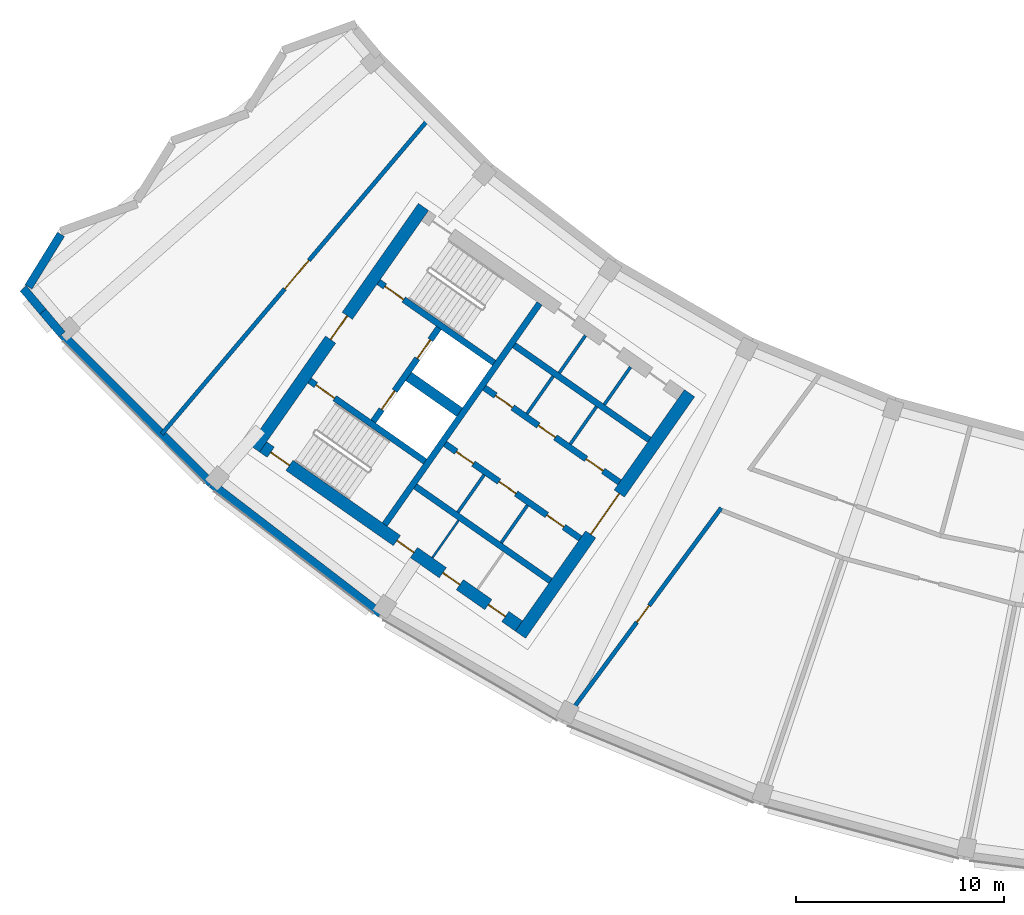
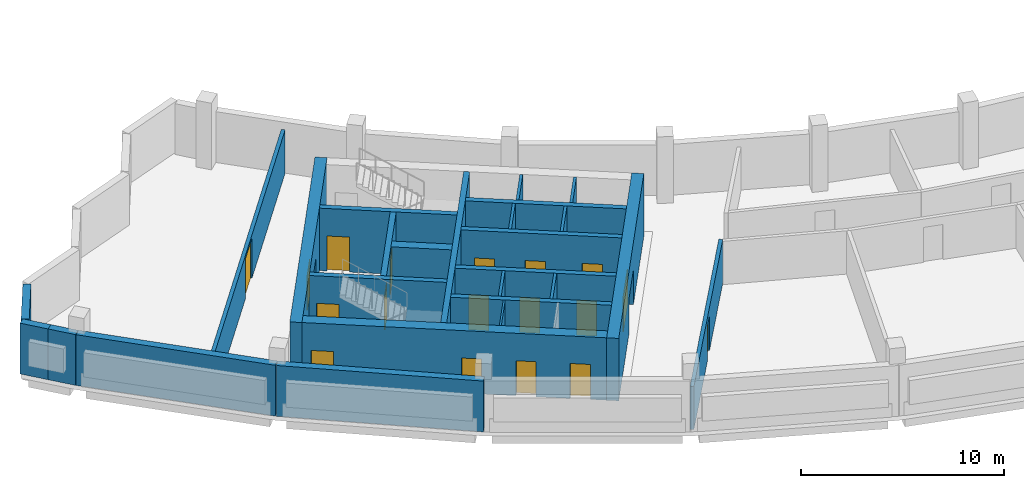
# One storey, part 3 of 11: 26 walls, 18 doors, 18 openings.
"""IFC4 building model written with IfcOpenShell, lengths in metres."""

from ifc_helpers import new_model, si_unit, direction, frame, frame_2d, origin, place, context, subcontext, project, spatial, rectangle, extrude, material, layer, layer_set, type_object, element, fill, save


model = new_model("IFC4")

# Units and contexts
model_context = context("Model", 3, precision=1e-05, world=origin(), true_north=direction((0.0, 1.0)))
body_context = subcontext(model_context, "Body", "Model", "MODEL_VIEW")
ifc_project = project(units=[si_unit("LENGTHUNIT", "METRE"), si_unit("AREAUNIT", "SQUARE_METRE"), si_unit("VOLUMEUNIT", "CUBIC_METRE"), si_unit("PLANEANGLEUNIT", "RADIAN"), si_unit("MASSUNIT", "GRAM", prefix="KILO")], contexts=[model_context])

# Site, building, storey
site_placement = place(None, origin())
site = spatial("IfcSite", under=ifc_project, at=site_placement, CompositionType="ELEMENT")
building_placement = place(site_placement, origin())
building = spatial("IfcBuilding", under=site, at=building_placement, Name="Qamariyya Broadcast Tower", CompositionType="ELEMENT")
storey_placement = place(building_placement, frame((0.0, 0.0, 314.699951171875)))
storey = spatial("IfcBuildingStorey", under=building, at=storey_placement, Name="L76", CompositionType="ELEMENT", Elevation=314.699951171875)

# Wall, opening, door
ifc_material_1 = material(Name="Concrete C60/75", Category="concrete")
ifc_layer_1 = layer(ifc_material_1, 0.60009765625)
ifc_layer_set_1 = layer_set([ifc_layer_1], Name="Core wall 600 mm Concrete C60/75")
wall_type_1 = type_object("IfcWallType", Name="Core wall 600 mm Concrete C60/75", PredefinedType="SHEAR", material=ifc_layer_set_1)
wall_1_placement = place(storey_placement, frame((-36.66748046875, -66.005126953125, 0.0), z_axis=(0.0, 0.0, 1.0), x_axis=(0.573568499524, 0.819157601658, 0.0)))
wall_1 = element("IfcWall", 1, at=wall_1_placement, inside=storey, type_object=wall_type_1, Name="k-W-L76-WA", PredefinedType="SHEAR", context=body_context, shape_type="SweptSolid", body=[
    extrude(rectangle(XDim=14.19970703125, YDim=0.60009765625, at=frame_2d((7.099853515625, 0.0))), origin(), (0.0, 0.0, 1.0), 3.75),
])
opening_1_placement = place(wall_1_placement, frame((5.89990234375, 0.0, 0.0)))
opening_1 = element("IfcOpeningElement", 2, at=opening_1_placement, cuts=wall_1, Name="Opening KD3-W1", PredefinedType="OPENING", context=body_context, shape_type="SweptSolid", body=[
    extrude(rectangle(XDim=2.39990234375, YDim=2.10009765625, at=frame_2d((1.199951171875, 1.050048828125))), frame((0.0, 0.31005859375, 0.0), z_axis=(0.0, -1.0, 0.0), x_axis=(1.0, 0.0, 0.0)), (0.0, 0.0, 1.0), 0.6201171875),
])
ifc_material_2 = material(Name="Steel fire-resisting door leaf", Category="steel")
door_type_1 = type_object("IfcDoorType", Name="Lift lobby door KD3", OperationType="DOUBLE_DOOR_SINGLE_SWING", PredefinedType="DOOR", material=ifc_material_2)
door_1_placement = place(opening_1_placement, origin())
door_1 = element("IfcDoor", 3, at=door_1_placement, inside=storey, type_object=door_type_1, Name="k-W-L76-WA-D1", OperationType="DOUBLE_DOOR_SINGLE_SWING", OverallHeight=2.10009765625, OverallWidth=2.39990234375, PredefinedType="DOOR", context=body_context, shape_type="SweptSolid", body=[
    extrude(rectangle(XDim=2.39990234375, YDim=2.10009765625, at=frame_2d((1.199951171875, 1.050048828125))), frame((0.0, 0.02490234375, 0.0), z_axis=(0.0, -1.0, 0.0), x_axis=(1.0, 0.0, 0.0)), (0.0, 0.0, 1.0), 0.050048828125),
])
fill(opening_1, door_1)

wall_2_placement = place(storey_placement, frame((-49.4833984375, -57.031494140625, 0.0), z_axis=(0.0, 0.0, 1.0), x_axis=(0.573560421458, 0.819163257805, 0.0)))
wall_2 = element("IfcWall", 4, at=wall_2_placement, inside=storey, type_object=wall_type_1, Name="k-W-L76-WH", PredefinedType="SHEAR", context=body_context, shape_type="SweptSolid", body=[
    extrude(rectangle(XDim=14.199951171875, YDim=0.60009765625, at=frame_2d((7.10009765625, 0.0))), origin(), (0.0, 0.0, 1.0), 3.75),
])
opening_2_placement = place(wall_2_placement, frame((6.39990234375, 0.0, 0.0)))
opening_2 = element("IfcOpeningElement", 5, at=opening_2_placement, cuts=wall_2, Name="Opening KD2-W1", PredefinedType="OPENING", context=body_context, shape_type="SweptSolid", body=[
    extrude(rectangle(XDim=1.39990234375, YDim=2.10009765625, at=frame_2d((0.699951171875, 1.050048828125))), frame((0.0, 0.31005859375, 0.0), z_axis=(0.0, -1.0, 0.0), x_axis=(1.0, 0.0, 0.0)), (0.0, 0.0, 1.0), 0.6201171875),
])
door_type_2 = type_object("IfcDoorType", Name="Fire-fighting lobby door KD2", OperationType="DOUBLE_DOOR_SINGLE_SWING", PredefinedType="DOOR", material=ifc_material_2)
door_2_placement = place(opening_2_placement, origin())
door_2 = element("IfcDoor", 6, at=door_2_placement, inside=storey, type_object=door_type_2, Name="k-W-L76-WH-D16", OperationType="DOUBLE_DOOR_SINGLE_SWING", OverallHeight=2.10009765625, OverallWidth=1.39990234375, PredefinedType="DOOR", context=body_context, shape_type="SweptSolid", body=[
    extrude(rectangle(XDim=1.39990234375, YDim=2.10009765625, at=frame_2d((0.699951171875, 1.050048828125))), frame((0.0, 0.02490234375, 0.0), z_axis=(0.0, -1.0, 0.0), x_axis=(1.0, 0.0, 0.0)), (0.0, 0.0, 1.0), 0.050048828125),
])
fill(opening_2, door_2)

# Wall, openings, doors
wall_3_placement = place(storey_placement, frame((-36.7412109375, -65.58740234375, 0.0), z_axis=(0.0, 0.0, 1.0), x_axis=(-0.819153391756, 0.573574511963, 0.0)))
wall_3 = element("IfcWall", 7, at=wall_3_placement, inside=storey, type_object=wall_type_1, Name="k-W-L76-WO", PredefinedType="SHEAR", context=body_context, shape_type="SweptSolid", body=[
    extrude(rectangle(XDim=15.04541015625, YDim=0.60009765625, at=frame_2d((7.522705078125, 0.0))), origin(), (0.0, 0.0, 1.0), 3.75),
])
opening_3_placement = place(wall_3_placement, frame((0.800048828125, 0.0, 0.0)))
opening_3 = element("IfcOpeningElement", 8, at=opening_3_placement, cuts=wall_3, Name="Opening KD4-W10", PredefinedType="OPENING", context=body_context, shape_type="SweptSolid", body=[
    extrude(rectangle(XDim=1.0, YDim=2.10009765625, at=frame_2d((0.5, 1.050048828125))), frame((0.0, 0.31005859375, 0.0), z_axis=(0.0, -1.0, 0.0), x_axis=(1.0, 0.0, 0.0)), (0.0, 0.0, 1.0), 0.6201171875),
])
opening_4_placement = place(wall_3_placement, frame((3.47509765625, 0.0, 0.0)))
opening_4 = element("IfcOpeningElement", 9, at=opening_4_placement, cuts=wall_3, Name="Opening KD4-W11", PredefinedType="OPENING", context=body_context, shape_type="SweptSolid", body=[
    extrude(rectangle(XDim=1.0, YDim=2.10009765625, at=frame_2d((0.5, 1.050048828125))), frame((0.0, 0.31005859375, 0.0), z_axis=(0.0, -1.0, 0.0), x_axis=(1.0, 0.0, 0.0)), (0.0, 0.0, 1.0), 0.6201171875),
])
opening_5_placement = place(wall_3_placement, frame((6.175048828125, 0.0, 0.0)))
opening_5 = element("IfcOpeningElement", 10, at=opening_5_placement, cuts=wall_3, Name="Opening KD4-W12", PredefinedType="OPENING", context=body_context, shape_type="SweptSolid", body=[
    extrude(rectangle(XDim=1.0, YDim=2.10009765625, at=frame_2d((0.5, 1.050048828125))), frame((0.0, 0.31005859375, 0.0), z_axis=(0.0, -1.0, 0.0), x_axis=(1.0, 0.0, 0.0)), (0.0, 0.0, 1.0), 0.6201171875),
])
opening_6_placement = place(wall_3_placement, frame((13.495361328125, 0.0, 0.0)))
opening_6 = element("IfcOpeningElement", 11, at=opening_6_placement, cuts=wall_3, Name="Opening KD1-W3", PredefinedType="OPENING", context=body_context, shape_type="SweptSolid", body=[
    extrude(rectangle(XDim=1.10009765625, YDim=2.10009765625, at=frame_2d((0.550048828125, 1.050048828125))), frame((0.0, 0.31005859375, 0.0), z_axis=(0.0, -1.0, 0.0), x_axis=(1.0, 0.0, 0.0)), (0.0, 0.0, 1.0), 0.6201171875),
])
door_type_3 = type_object("IfcDoorType", Name="Riser and plant door KD4", OperationType="SINGLE_SWING_LEFT", PredefinedType="DOOR", material=ifc_material_2)
door_3_placement = place(opening_3_placement, origin())
door_3 = element("IfcDoor", 12, at=door_3_placement, inside=storey, type_object=door_type_3, Name="k-W-L76-WO-D11", OperationType="SINGLE_SWING_RIGHT", OverallHeight=2.10009765625, OverallWidth=1.0, PredefinedType="DOOR", context=body_context, shape_type="SweptSolid", body=[
    extrude(rectangle(XDim=1.0, YDim=2.10009765625, at=frame_2d((0.5, 1.050048828125))), frame((0.0, 0.02490234375, 0.0), z_axis=(0.0, -1.0, 0.0), x_axis=(1.0, 0.0, 0.0)), (0.0, 0.0, 1.0), 0.050048828125),
])
fill(opening_3, door_3)
door_4_placement = place(opening_4_placement, origin())
door_4 = element("IfcDoor", 13, at=door_4_placement, inside=storey, type_object=door_type_3, Name="k-W-L76-WO-D12", OperationType="SINGLE_SWING_LEFT", OverallHeight=2.10009765625, OverallWidth=1.0, PredefinedType="DOOR", context=body_context, shape_type="SweptSolid", body=[
    extrude(rectangle(XDim=1.0, YDim=2.10009765625, at=frame_2d((0.5, 1.050048828125))), frame((0.0, 0.02490234375, 0.0), z_axis=(0.0, -1.0, 0.0), x_axis=(1.0, 0.0, 0.0)), (0.0, 0.0, 1.0), 0.050048828125),
])
fill(opening_4, door_4)
door_5_placement = place(opening_5_placement, origin())
door_5 = element("IfcDoor", 14, at=door_5_placement, inside=storey, type_object=door_type_3, Name="k-W-L76-WO-D13", OperationType="SINGLE_SWING_RIGHT", OverallHeight=2.10009765625, OverallWidth=1.0, PredefinedType="DOOR", context=body_context, shape_type="SweptSolid", body=[
    extrude(rectangle(XDim=1.0, YDim=2.10009765625, at=frame_2d((0.5, 1.050048828125))), frame((0.0, 0.02490234375, 0.0), z_axis=(0.0, -1.0, 0.0), x_axis=(1.0, 0.0, 0.0)), (0.0, 0.0, 1.0), 0.050048828125),
])
fill(opening_5, door_5)
door_type_4 = type_object("IfcDoorType", Name="Stair door KD1", OperationType="SINGLE_SWING_LEFT", PredefinedType="DOOR", material=ifc_material_2)
door_6_placement = place(opening_6_placement, origin())
door_6 = element("IfcDoor", 15, at=door_6_placement, inside=storey, type_object=door_type_4, Name="k-W-L76-WO-D19", OperationType="SINGLE_SWING_LEFT", OverallHeight=2.10009765625, OverallWidth=1.10009765625, PredefinedType="DOOR", context=body_context, shape_type="SweptSolid", body=[
    extrude(rectangle(XDim=1.10009765625, YDim=2.10009765625, at=frame_2d((0.550048828125, 1.050048828125))), frame((0.0, 0.02490234375, 0.0), z_axis=(0.0, -1.0, 0.0), x_axis=(1.0, 0.0, 0.0)), (0.0, 0.0, 1.0), 0.050048828125),
])
fill(opening_6, door_6)

# Walls
ifc_layer_2 = layer(ifc_material_1, 0.5)
ifc_layer_set_2 = layer_set([ifc_layer_2], Name="Fire-fighting lobby divider wall 500 mm Concrete C60/75")
wall_type_2 = type_object("IfcWallType", Name="Fire-fighting lobby divider wall 500 mm Concrete C60/75", PredefinedType="SOLIDWALL", material=ifc_layer_set_2)
wall_4_placement = place(storey_placement, frame((-39.59912109375, -55.28515625, 0.0), z_axis=(0.0, 0.0, 1.0), x_axis=(-0.819136323161, 0.573598887793, 0.0)))
element("IfcWall", 16, at=wall_4_placement, inside=storey, type_object=wall_type_2, Name="k-W-L76-FD", PredefinedType="SOLIDWALL", context=body_context, shape_type="SweptSolid", body=[
    extrude(rectangle(XDim=2.999755859375, YDim=0.5, at=frame_2d((1.5, 0.0))), origin(), (0.0, 0.0, 1.0), 3.75),
])
ifc_material_3 = material(Name="Gypsum board partition on steel studs", Category="steel")
ifc_layer_3 = layer(ifc_material_3, 0.14990234375)
ifc_layer_set_3 = layer_set([ifc_layer_3], Name="Gypsum board partition 150 mm")
wall_type_3 = type_object("IfcWallType", Name="Gypsum board partition 150 mm", PredefinedType="PARTITIONING", material=ifc_layer_set_3)
for number, where, z_axis, x_axis, name in (
    (17, (-34.26611328125, -56.822021484375, 0.0), (0.0, 0.0, 1.0), (0.573581496053, 0.819148501424, 0.0), "k-W-L76-NC300"),
    (18, (-36.35498046875, -55.359375, 0.0), (0.0, 0.0, 1.0), (0.573581496053, 0.819148501424, 0.0), "k-W-L76-NC555"),
):
    element("IfcWall", number, at=place(storey_placement, frame(where, z_axis=z_axis, x_axis=x_axis)), inside=storey, type_object=wall_type_3, Name=name, PredefinedType="PARTITIONING", context=body_context, shape_type="SweptSolid", body=[
        extrude(rectangle(XDim=2.2001953125, YDim=0.14990234375, at=frame_2d((1.10009765625, 0.0))), origin(), (0.0, 0.0, 1.0), 3.75),
    ])
for number, where, z_axis, x_axis, name in (
    (19, (-36.330810546875, -59.77099609375, 0.0), (0.0, 0.0, 1.0), (-0.573633636671, -0.819111989218, 0.0), "k-W-L76-SC300"),
    (20, (-38.419677734375, -58.308349609375, 0.0), (0.0, 0.0, 1.0), (-0.573633636671, -0.819111989218, 0.0), "k-W-L76-SC555"),
    (21, (-32.627197265625, -54.91748046875, 0.0), (0.0, 0.0, 1.0), (0.573507030513, 0.819200638399, 0.0), "k-W-L76-NP275"),
    (22, (-34.798095703125, -53.3974609375, 0.0), (0.0, 0.0, 1.0), (0.573633636671, 0.819111989218, 0.0), "k-W-L76-NP540"),
):
    element("IfcWall", number, at=place(storey_placement, frame(where, z_axis=z_axis, x_axis=x_axis)), inside=storey, type_object=wall_type_3, Name=name, PredefinedType="PARTITIONING", context=body_context, shape_type="SweptSolid", body=[
        extrude(rectangle(XDim=2.199951171875, YDim=0.14990234375, at=frame_2d((1.10009765625, 0.0))), origin(), (0.0, 0.0, 1.0), 3.75),
    ])
ifc_layer_4 = layer(ifc_material_1, 0.300048828125)
ifc_layer_set_4 = layer_set([ifc_layer_4], Name="Lift shaft wall 300 mm Concrete C60/75")
wall_type_4 = type_object("IfcWallType", Name="Lift shaft wall 300 mm Concrete C60/75", PredefinedType="SOLIDWALL", material=ifc_layer_set_4)
wall_5_placement = place(storey_placement, frame((-43.204345703125, -60.69580078125, 0.0), z_axis=(0.0, 0.0, 1.0), x_axis=(0.573571992966, 0.819155155563, 0.0)))
element("IfcWall", 23, at=wall_5_placement, inside=storey, type_object=wall_type_4, Name="k-W-L76-WL", PredefinedType="SOLIDWALL", context=body_context, shape_type="SweptSolid", body=[
    extrude(rectangle(XDim=13.000244140625, YDim=0.300048828125, at=frame_2d((6.5, 0.0))), origin(), (0.0, 0.0, 1.0), 3.75),
])

# Wall, openings, doors
wall_6_placement = place(storey_placement, frame((-31.89453125, -58.66552734375, 0.0), z_axis=(0.0, 0.0, 1.0), x_axis=(-0.819166993208, 0.573555086491, 0.0)))
wall_6 = element("IfcWall", 24, at=wall_6_placement, inside=storey, type_object=wall_type_4, Name="k-W-L76-NF0", PredefinedType="SOLIDWALL", context=body_context, shape_type="SweptSolid", body=[
    extrude(rectangle(XDim=7.9501953125, YDim=0.300048828125, at=frame_2d((3.97509765625, 0.0))), origin(), (0.0, 0.0, 1.0), 3.75),
])
opening_7_placement = place(wall_6_placement, frame((0.96240234375, 0.0, 0.0)))
opening_7 = element("IfcOpeningElement", 25, at=opening_7_placement, cuts=wall_6, Name="Opening KD4-W1", PredefinedType="OPENING", context=body_context, shape_type="SweptSolid", body=[
    extrude(rectangle(XDim=1.0, YDim=2.10009765625, at=frame_2d((0.5, 1.050048828125))), frame((0.0, 0.159912109375, 0.0), z_axis=(0.0, -1.0, 0.0), x_axis=(1.0, 0.0, 0.0)), (0.0, 0.0, 1.0), 0.320068359375),
])
opening_8_placement = place(wall_6_placement, frame((3.77490234375, 0.0, 0.0)))
opening_8 = element("IfcOpeningElement", 26, at=opening_8_placement, cuts=wall_6, Name="Opening KD4-W2", PredefinedType="OPENING", context=body_context, shape_type="SweptSolid", body=[
    extrude(rectangle(XDim=1.0, YDim=2.10009765625, at=frame_2d((0.5, 1.050048828125))), frame((0.0, 0.159912109375, 0.0), z_axis=(0.0, -1.0, 0.0), x_axis=(1.0, 0.0, 0.0)), (0.0, 0.0, 1.0), 0.320068359375),
])
opening_9_placement = place(wall_6_placement, frame((6.28759765625, 0.0, 0.0)))
opening_9 = element("IfcOpeningElement", 27, at=opening_9_placement, cuts=wall_6, Name="Opening KD4-W3", PredefinedType="OPENING", context=body_context, shape_type="SweptSolid", body=[
    extrude(rectangle(XDim=1.0, YDim=2.10009765625, at=frame_2d((0.5, 1.050048828125))), frame((0.0, 0.159912109375, 0.0), z_axis=(0.0, -1.0, 0.0), x_axis=(1.0, 0.0, 0.0)), (0.0, 0.0, 1.0), 0.320068359375),
])
door_7_placement = place(opening_7_placement, origin())
door_7 = element("IfcDoor", 28, at=door_7_placement, inside=storey, type_object=door_type_3, Name="k-W-L76-NF0-D2", OperationType="SINGLE_SWING_LEFT", OverallHeight=2.10009765625, OverallWidth=1.0, PredefinedType="DOOR", context=body_context, shape_type="SweptSolid", body=[
    extrude(rectangle(XDim=1.0, YDim=2.10009765625, at=frame_2d((0.5, 1.050048828125))), frame((0.0, 0.02490234375, 0.0), z_axis=(0.0, -1.0, 0.0), x_axis=(1.0, 0.0, 0.0)), (0.0, 0.0, 1.0), 0.050048828125),
])
fill(opening_7, door_7)
door_8_placement = place(opening_8_placement, origin())
door_8 = element("IfcDoor", 29, at=door_8_placement, inside=storey, type_object=door_type_3, Name="k-W-L76-NF0-D3", OperationType="SINGLE_SWING_RIGHT", OverallHeight=2.10009765625, OverallWidth=1.0, PredefinedType="DOOR", context=body_context, shape_type="SweptSolid", body=[
    extrude(rectangle(XDim=1.0, YDim=2.10009765625, at=frame_2d((0.5, 1.050048828125))), frame((0.0, 0.02490234375, 0.0), z_axis=(0.0, -1.0, 0.0), x_axis=(1.0, 0.0, 0.0)), (0.0, 0.0, 1.0), 0.050048828125),
])
fill(opening_8, door_8)
door_9_placement = place(opening_9_placement, origin())
door_9 = element("IfcDoor", 30, at=door_9_placement, inside=storey, type_object=door_type_3, Name="k-W-L76-NF0-D4", OperationType="SINGLE_SWING_LEFT", OverallHeight=2.10009765625, OverallWidth=1.0, PredefinedType="DOOR", context=body_context, shape_type="SweptSolid", body=[
    extrude(rectangle(XDim=1.0, YDim=2.10009765625, at=frame_2d((0.5, 1.050048828125))), frame((0.0, 0.02490234375, 0.0), z_axis=(0.0, -1.0, 0.0), x_axis=(1.0, 0.0, 0.0)), (0.0, 0.0, 1.0), 0.050048828125),
])
fill(opening_9, door_9)

# Wall
wall_7_placement = place(storey_placement, frame((-30.460693359375, -56.61767578125, 0.0), z_axis=(0.0, 0.0, 1.0), x_axis=(-0.819142461705, 0.573590121456, 0.0)))
element("IfcWall", 31, at=wall_7_placement, inside=storey, type_object=wall_type_4, Name="k-W-L76-NB0", PredefinedType="SOLIDWALL", context=body_context, shape_type="SweptSolid", body=[
    extrude(rectangle(XDim=7.949951171875, YDim=0.300048828125, at=frame_2d((3.97509765625, 0.0))), origin(), (0.0, 0.0, 1.0), 3.75),
])

# Wall, openings, doors
wall_8_placement = place(storey_placement, frame((-33.787353515625, -61.368896484375, 0.0), z_axis=(0.0, 0.0, 1.0), x_axis=(-0.819152564888, 0.573575692858, 0.0)))
wall_8 = element("IfcWall", 32, at=wall_8_placement, inside=storey, type_object=wall_type_4, Name="k-W-L76-SF0", PredefinedType="SOLIDWALL", context=body_context, shape_type="SweptSolid", body=[
    extrude(rectangle(XDim=7.9501953125, YDim=0.300048828125, at=frame_2d((3.97509765625, 0.0))), origin(), (0.0, 0.0, 1.0), 3.75),
])
opening_10_placement = place(wall_8_placement, frame((0.96240234375, 0.0, 0.0)))
opening_10 = element("IfcOpeningElement", 33, at=opening_10_placement, cuts=wall_8, Name="Opening KD4-W4", PredefinedType="OPENING", context=body_context, shape_type="SweptSolid", body=[
    extrude(rectangle(XDim=1.0, YDim=2.10009765625, at=frame_2d((0.5, 1.050048828125))), frame((0.0, 0.159912109375, 0.0), z_axis=(0.0, -1.0, 0.0), x_axis=(1.0, 0.0, 0.0)), (0.0, 0.0, 1.0), 0.320068359375),
])
opening_11_placement = place(wall_8_placement, frame((3.77490234375, 0.0, 0.0)))
opening_11 = element("IfcOpeningElement", 34, at=opening_11_placement, cuts=wall_8, Name="Opening KD4-W5", PredefinedType="OPENING", context=body_context, shape_type="SweptSolid", body=[
    extrude(rectangle(XDim=1.0, YDim=2.10009765625, at=frame_2d((0.5, 1.050048828125))), frame((0.0, 0.159912109375, 0.0), z_axis=(0.0, -1.0, 0.0), x_axis=(1.0, 0.0, 0.0)), (0.0, 0.0, 1.0), 0.320068359375),
])
opening_12_placement = place(wall_8_placement, frame((6.28759765625, 0.0, 0.0)))
opening_12 = element("IfcOpeningElement", 35, at=opening_12_placement, cuts=wall_8, Name="Opening KD4-W6", PredefinedType="OPENING", context=body_context, shape_type="SweptSolid", body=[
    extrude(rectangle(XDim=1.0, YDim=2.10009765625, at=frame_2d((0.5, 1.050048828125))), frame((0.0, 0.159912109375, 0.0), z_axis=(0.0, -1.0, 0.0), x_axis=(1.0, 0.0, 0.0)), (0.0, 0.0, 1.0), 0.320068359375),
])
door_10_placement = place(opening_10_placement, origin())
door_10 = element("IfcDoor", 36, at=door_10_placement, inside=storey, type_object=door_type_3, Name="k-W-L76-SF0-D5", OperationType="SINGLE_SWING_RIGHT", OverallHeight=2.10009765625, OverallWidth=1.0, PredefinedType="DOOR", context=body_context, shape_type="SweptSolid", body=[
    extrude(rectangle(XDim=1.0, YDim=2.10009765625, at=frame_2d((0.5, 1.050048828125))), frame((0.0, 0.02490234375, 0.0), z_axis=(0.0, -1.0, 0.0), x_axis=(1.0, 0.0, 0.0)), (0.0, 0.0, 1.0), 0.050048828125),
])
fill(opening_10, door_10)
door_11_placement = place(opening_11_placement, origin())
door_11 = element("IfcDoor", 37, at=door_11_placement, inside=storey, type_object=door_type_3, Name="k-W-L76-SF0-D6", OperationType="SINGLE_SWING_LEFT", OverallHeight=2.10009765625, OverallWidth=1.0, PredefinedType="DOOR", context=body_context, shape_type="SweptSolid", body=[
    extrude(rectangle(XDim=1.0, YDim=2.10009765625, at=frame_2d((0.5, 1.050048828125))), frame((0.0, 0.02490234375, 0.0), z_axis=(0.0, -1.0, 0.0), x_axis=(1.0, 0.0, 0.0)), (0.0, 0.0, 1.0), 0.050048828125),
])
fill(opening_11, door_11)
door_12_placement = place(opening_12_placement, origin())
door_12 = element("IfcDoor", 38, at=door_12_placement, inside=storey, type_object=door_type_3, Name="k-W-L76-SF0-D7", OperationType="SINGLE_SWING_RIGHT", OverallHeight=2.10009765625, OverallWidth=1.0, PredefinedType="DOOR", context=body_context, shape_type="SweptSolid", body=[
    extrude(rectangle(XDim=1.0, YDim=2.10009765625, at=frame_2d((0.5, 1.050048828125))), frame((0.0, 0.02490234375, 0.0), z_axis=(0.0, -1.0, 0.0), x_axis=(1.0, 0.0, 0.0)), (0.0, 0.0, 1.0), 0.050048828125),
])
fill(opening_12, door_12)

# Wall
wall_9_placement = place(storey_placement, frame((-35.22119140625, -63.41650390625, 0.0), z_axis=(0.0, 0.0, 1.0), x_axis=(-0.819166993208, 0.573555086491, 0.0)))
element("IfcWall", 39, at=wall_9_placement, inside=storey, type_object=wall_type_4, Name="k-W-L76-SB0", PredefinedType="SOLIDWALL", context=body_context, shape_type="SweptSolid", body=[
    extrude(rectangle(XDim=7.9501953125, YDim=0.300048828125, at=frame_2d((3.97509765625, 0.0))), origin(), (0.0, 0.0, 1.0), 3.75),
])

# Wall, opening, door
wall_10_placement = place(storey_placement, frame((-37.935546875, -52.90966796875, 0.0), z_axis=(0.0, 0.0, 1.0), x_axis=(-0.819147518138, 0.57358290031, 0.0)))
wall_10 = element("IfcWall", 40, at=wall_10_placement, inside=storey, type_object=wall_type_4, Name="k-W-L76-NW", PredefinedType="SOLIDWALL", context=body_context, shape_type="SweptSolid", body=[
    extrude(rectangle(XDim=6.79541015625, YDim=0.300048828125, at=frame_2d((3.397705078125, 0.0))), origin(), (0.0, 0.0, 1.0), 3.75),
])
opening_13_placement = place(wall_10_placement, frame((5.3203125, 0.0, 0.0)))
opening_13 = element("IfcOpeningElement", 41, at=opening_13_placement, cuts=wall_10, Name="Opening KD1-W2", PredefinedType="OPENING", context=body_context, shape_type="SweptSolid", body=[
    extrude(rectangle(XDim=1.10009765625, YDim=2.10009765625, at=frame_2d((0.550048828125, 1.050048828125))), frame((0.0, 0.159912109375, 0.0), z_axis=(0.0, -1.0, 0.0), x_axis=(1.0, 0.0, 0.0)), (0.0, 0.0, 1.0), 0.320068359375),
])
door_13_placement = place(opening_13_placement, origin())
door_13 = element("IfcDoor", 42, at=door_13_placement, inside=storey, type_object=door_type_4, Name="k-W-L76-NW-D18", OperationType="SINGLE_SWING_LEFT", OverallHeight=2.10009765625, OverallWidth=1.10009765625, PredefinedType="DOOR", context=body_context, shape_type="SweptSolid", body=[
    extrude(rectangle(XDim=1.10009765625, YDim=2.10009765625, at=frame_2d((0.550048828125, 1.050048828125))), frame((0.0, 0.02490234375, 0.0), z_axis=(0.0, -1.0, 0.0), x_axis=(1.0, 0.0, 0.0)), (0.0, 0.0, 1.0), 0.050048828125),
])
fill(opening_13, door_13)

wall_11_placement = place(storey_placement, frame((-41.262451171875, -57.66064453125, 0.0), z_axis=(0.0, 0.0, 1.0), x_axis=(-0.819164398642, 0.573558792102, 0.0)))
wall_11 = element("IfcWall", 43, at=wall_11_placement, inside=storey, type_object=wall_type_4, Name="k-W-L76-SW", PredefinedType="SOLIDWALL", context=body_context, shape_type="SweptSolid", body=[
    extrude(rectangle(XDim=6.795166015625, YDim=0.300048828125, at=frame_2d((3.3974609375, 0.0))), origin(), (0.0, 0.0, 1.0), 3.75),
])
opening_14_placement = place(wall_11_placement, frame((5.3203125, 0.0, 0.0)))
opening_14 = element("IfcOpeningElement", 44, at=opening_14_placement, cuts=wall_11, Name="Opening KD1-W4", PredefinedType="OPENING", context=body_context, shape_type="SweptSolid", body=[
    extrude(rectangle(XDim=1.10009765625, YDim=2.10009765625, at=frame_2d((0.550048828125, 1.050048828125))), frame((0.0, 0.159912109375, 0.0), z_axis=(0.0, -1.0, 0.0), x_axis=(1.0, 0.0, 0.0)), (0.0, 0.0, 1.0), 0.320068359375),
])
door_14_placement = place(opening_14_placement, origin())
door_14 = element("IfcDoor", 45, at=door_14_placement, inside=storey, type_object=door_type_4, Name="k-W-L76-SW-D20", OperationType="SINGLE_SWING_LEFT", OverallHeight=2.10009765625, OverallWidth=1.10009765625, PredefinedType="DOOR", context=body_context, shape_type="SweptSolid", body=[
    extrude(rectangle(XDim=1.10009765625, YDim=2.10009765625, at=frame_2d((0.550048828125, 1.050048828125))), frame((0.0, 0.02490234375, 0.0), z_axis=(0.0, -1.0, 0.0), x_axis=(1.0, 0.0, 0.0)), (0.0, 0.0, 1.0), 0.050048828125),
])
fill(opening_14, door_14)

# Wall, openings, doors
wall_12_placement = place(storey_placement, frame((-43.756591796875, -55.731201171875, 0.0), z_axis=(0.0, 0.0, 1.0), x_axis=(0.573536818435, 0.819179783625, 0.0)))
wall_12 = element("IfcWall", 46, at=wall_12_placement, inside=storey, type_object=wall_type_4, Name="k-W-L76-FF", PredefinedType="SOLIDWALL", context=body_context, shape_type="SweptSolid", body=[
    extrude(rectangle(XDim=5.500244140625, YDim=0.300048828125, at=frame_2d((2.75, 0.0))), origin(), (0.0, 0.0, 1.0), 3.75),
])
opening_15_placement = place(wall_12_placement, frame((0.699951171875, 0.0, 0.0)))
opening_15 = element("IfcOpeningElement", 47, at=opening_15_placement, cuts=wall_12, Name="Opening LD", PredefinedType="OPENING", context=body_context, shape_type="SweptSolid", body=[
    extrude(rectangle(XDim=1.10009765625, YDim=2.10009765625, at=frame_2d((0.550048828125, 1.050048828125))), frame((0.0, 0.159912109375, 0.0), z_axis=(0.0, -1.0, 0.0), x_axis=(1.0, 0.0, 0.0)), (0.0, 0.0, 1.0), 0.320068359375),
])
opening_16_placement = place(wall_12_placement, frame((3.699951171875, 0.0, 0.0)))
opening_16 = element("IfcOpeningElement", 48, at=opening_16_placement, cuts=wall_12, Name="Opening LD", PredefinedType="OPENING", context=body_context, shape_type="SweptSolid", body=[
    extrude(rectangle(XDim=1.10009765625, YDim=2.10009765625, at=frame_2d((0.550048828125, 1.050048828125))), frame((0.0, 0.159912109375, 0.0), z_axis=(0.0, -1.0, 0.0), x_axis=(1.0, 0.0, 0.0)), (0.0, 0.0, 1.0), 0.320068359375),
])
door_type_5 = type_object("IfcDoorType", Name="Lift landing door LD", OperationType="DOUBLE_DOOR_SLIDING", PredefinedType="DOOR", material=ifc_material_2)
door_15_placement = place(opening_15_placement, origin())
door_15 = element("IfcDoor", 49, at=door_15_placement, inside=storey, type_object=door_type_5, Name="k-W-L76-FF-D14", OperationType="DOUBLE_DOOR_SLIDING", OverallHeight=2.10009765625, OverallWidth=1.10009765625, PredefinedType="DOOR", context=body_context, shape_type="SweptSolid", body=[
    extrude(rectangle(XDim=1.10009765625, YDim=2.10009765625, at=frame_2d((0.550048828125, 1.050048828125))), frame((0.0, 0.02490234375, 0.0), z_axis=(0.0, -1.0, 0.0), x_axis=(1.0, 0.0, 0.0)), (0.0, 0.0, 1.0), 0.050048828125),
])
fill(opening_15, door_15)
door_16_placement = place(opening_16_placement, origin())
door_16 = element("IfcDoor", 50, at=door_16_placement, inside=storey, type_object=door_type_5, Name="k-W-L76-FF-D15", OperationType="DOUBLE_DOOR_SLIDING", OverallHeight=2.10009765625, OverallWidth=1.10009765625, PredefinedType="DOOR", context=body_context, shape_type="SweptSolid", body=[
    extrude(rectangle(XDim=1.10009765625, YDim=2.10009765625, at=frame_2d((0.550048828125, 1.050048828125))), frame((0.0, 0.02490234375, 0.0), z_axis=(0.0, -1.0, 0.0), x_axis=(1.0, 0.0, 0.0)), (0.0, 0.0, 1.0), 0.050048828125),
])
fill(opening_16, door_16)

# Wall, opening, door
ifc_material_4 = material(Name="Masonry block wall", Category="masonry")
ifc_layer_5 = layer(ifc_material_4, 0.199951171875)
ifc_layer_set_5 = layer_set([ifc_layer_5], Name="Plant room wall 200 EI 120")
wall_type_5 = type_object("IfcWallType", Name="Plant room wall 200 EI 120", PredefinedType="PARTITIONING", material=ifc_layer_set_5)
wall_13_placement = place(storey_placement, frame((-53.946044921875, -56.33837890625, 0.0), z_axis=(0.0, 0.0, 1.0), x_axis=(0.646426079671, 0.76297662056, 0.0)))
wall_13 = element("IfcWall", 51, at=wall_13_placement, inside=storey, type_object=wall_type_5, Name="Partition L76-001", PredefinedType="PARTITIONING", context=body_context, shape_type="SweptSolid", body=[
    extrude(rectangle(XDim=20.1259765625, YDim=0.199951171875, at=frame_2d((10.06298828125, 0.0))), origin(), (0.0, 0.0, 1.0), 2.60009765625),
])
opening_17_placement = place(wall_13_placement, frame((9.1630859375, 0.0, 0.0)))
opening_17 = element("IfcOpeningElement", 52, at=opening_17_placement, cuts=wall_13, Name="Opening L76-D12", PredefinedType="OPENING", context=body_context, shape_type="SweptSolid", body=[
    extrude(rectangle(XDim=1.800048828125, YDim=2.39990234375, at=frame_2d((0.89990234375, 1.199951171875))), frame((0.0, 0.10986328125, 0.0), z_axis=(0.0, -1.0, 0.0), x_axis=(1.0, 0.0, 0.0)), (0.0, 0.0, 1.0), 0.219970703125),
])
ifc_material_5 = material(Name="Insulated metal door leaf")
door_type_6 = type_object("IfcDoorType", Name="Plant double door 1800 x 2400 FD120", OperationType="NOTDEFINED", PredefinedType="DOOR", material=ifc_material_5)
door_17_placement = place(opening_17_placement, origin())
door_17 = element("IfcDoor", 53, at=door_17_placement, inside=storey, type_object=door_type_6, Name="Door L76-D12", OperationType="DOUBLE_DOOR_SINGLE_SWING", OverallHeight=2.39990234375, OverallWidth=1.800048828125, PredefinedType="DOOR", context=body_context, shape_type="SweptSolid", body=[
    extrude(rectangle(XDim=1.800048828125, YDim=2.39990234375, at=frame_2d((0.89990234375, 1.199951171875))), frame((0.0, 0.02490234375, 0.0), z_axis=(0.0, -1.0, 0.0), x_axis=(1.0, 0.0, 0.0)), (0.0, 0.0, 1.0), 0.050048828125),
])
fill(opening_17, door_17)

wall_14_placement = place(storey_placement, frame((-26.998046875, -59.89892578125, 0.0), z_axis=(0.0, 0.0, 1.0), x_axis=(-0.593866233023, -0.804563793167, 0.0)))
wall_14 = element("IfcWall", 54, at=wall_14_placement, inside=storey, type_object=wall_type_5, Name="Partition L76-002", PredefinedType="PARTITIONING", context=body_context, shape_type="SweptSolid", body=[
    extrude(rectangle(XDim=12.6904296875, YDim=0.199951171875, at=frame_2d((6.34521484375, 0.0))), origin(), (0.0, 0.0, 1.0), 2.60009765625),
])
opening_18_placement = place(wall_14_placement, frame((5.84521484375, 0.0, 0.0)))
opening_18 = element("IfcOpeningElement", 55, at=opening_18_placement, cuts=wall_14, Name="Opening L76-D01", PredefinedType="OPENING", context=body_context, shape_type="SweptSolid", body=[
    extrude(rectangle(XDim=1.0, YDim=2.10009765625, at=frame_2d((0.5, 1.050048828125))), frame((0.0, 0.10986328125, 0.0), z_axis=(0.0, -1.0, 0.0), x_axis=(1.0, 0.0, 0.0)), (0.0, 0.0, 1.0), 0.219970703125),
])
door_type_7 = type_object("IfcDoorType", Name="Plant door 1000 x 2100 FD120", OperationType="NOTDEFINED", PredefinedType="DOOR", material=ifc_material_5)
door_18_placement = place(opening_18_placement, origin())
door_18 = element("IfcDoor", 56, at=door_18_placement, inside=storey, type_object=door_type_7, Name="Door L76-D01", OperationType="SINGLE_SWING_RIGHT", OverallHeight=2.10009765625, OverallWidth=1.0, PredefinedType="DOOR", context=body_context, shape_type="SweptSolid", body=[
    extrude(rectangle(XDim=1.0, YDim=2.10009765625, at=frame_2d((0.5, 1.050048828125))), frame((0.0, 0.02490234375, 0.0), z_axis=(0.0, -1.0, 0.0), x_axis=(1.0, 0.0, 0.0)), (0.0, 0.0, 1.0), 0.050048828125),
])
fill(opening_18, door_18)

# Walls
ifc_material_6 = material(Name="Fire-rated gypsum shaft liner on steel studs", Category="steel")
ifc_layer_6 = layer(ifc_material_6, 0.10009765625)
ifc_layer_set_6 = layer_set([ifc_layer_6], Name="Riser wall 100 mm")
wall_type_6 = type_object("IfcWallType", Name="Riser wall 100 mm", PredefinedType="PLUMBINGWALL", material=ifc_layer_set_6)
wall_15_placement = place(storey_placement, frame((-39.64892578125, -60.49951171875, 0.0), z_axis=(0.0, 0.0, 1.0), x_axis=(-0.573507030513, -0.819200638399, 0.0)))
element("IfcWall", 57, at=wall_15_placement, inside=storey, type_object=wall_type_6, Name="k-W-L76-SP530", PredefinedType="PLUMBINGWALL", context=body_context, shape_type="SweptSolid", body=[
    extrude(rectangle(XDim=2.199951171875, YDim=0.10009765625, at=frame_2d((1.10009765625, 0.0))), origin(), (0.0, 0.0, 1.0), 3.75),
])
ifc_material_7 = material(Name="Terracotta", Category="masonry")
ifc_layer_7 = layer(ifc_material_7, 0.39990234375)
ifc_layer_set_7 = layer_set([ifc_layer_7], Name="Solid terracotta louvred band wall 400")
wall_type_7 = type_object("IfcWallType", Name="Solid terracotta louvred band wall 400", PredefinedType="SOLIDWALL", material=ifc_layer_set_7)
wall_16_placement = place(storey_placement, frame((-58.805419921875, -46.720458984375, 0.0), z_axis=(0.0, 0.0, 1.0), x_axis=(-0.525538284274, -0.850769952315, 0.0)))
element("IfcWall", 58, at=wall_16_placement, inside=storey, type_object=wall_type_7, Name="e-wl-L76-capW5", PredefinedType="SOLIDWALL", context=body_context, shape_type="SweptSolid", body=[
    extrude(rectangle(XDim=2.976318359375, YDim=0.39990234375, at=frame_2d((1.48828125, 0.0))), origin(), (0.0, 0.0, 1.0), 3.050048828125),
])
wall_17_placement = place(storey_placement, frame((-60.623046875, -49.3193359375, 0.0), z_axis=(0.0, 0.0, 1.0), x_axis=(0.645510358639, -0.763751515148, 0.0)))
element("IfcWall", 59, at=wall_17_placement, inside=storey, type_object=wall_type_7, Name="e-wl-L76-out00", PredefinedType="SOLIDWALL", context=body_context, shape_type="SweptSolid", body=[
    extrude(rectangle(XDim=1.47021484375, YDim=0.39990234375, at=frame_2d((0.735107421875, 0.0))), origin(), (0.0, 0.0, 1.0), 3.050048828125),
])
wall_18_placement = place(storey_placement, frame((-59.674072265625, -50.442138671875, 0.0), z_axis=(0.0, 0.0, 1.0), x_axis=(0.645651771062, -0.763631973221, 0.0)))
element("IfcWall", 60, at=wall_18_placement, inside=storey, type_object=wall_type_7, Name="e-wl-L76-out01", PredefinedType="SOLIDWALL", context=body_context, shape_type="SweptSolid", body=[
    extrude(rectangle(XDim=1.431884765625, YDim=0.39990234375, at=frame_2d((0.7158203125, 0.0))), origin(), (0.0, 0.0, 1.0), 3.050048828125),
])
wall_19_placement = place(storey_placement, frame((-58.737060546875, -51.546630859375, 0.0), z_axis=(0.0, 0.0, 1.0), x_axis=(0.707118813872, -0.707094748296, 0.0)))
element("IfcWall", 61, at=wall_19_placement, inside=storey, type_object=wall_type_7, Name="e-wl-L76-out10", PredefinedType="SOLIDWALL", context=body_context, shape_type="SweptSolid", body=[
    extrude(rectangle(XDim=10.144775390625, YDim=0.39990234375, at=frame_2d((5.072265625, 0.0))), origin(), (0.0, 0.0, 1.0), 3.050048828125),
])
wall_20_placement = place(storey_placement, frame((-51.54736328125, -58.74072265625, 0.0), z_axis=(0.0, 0.0, 1.0), x_axis=(0.793354972355, -0.608759302055, 0.0)))
element("IfcWall", 62, at=wall_20_placement, inside=storey, type_object=wall_type_7, Name="e-wl-L76-out20", PredefinedType="SOLIDWALL", context=body_context, shape_type="SweptSolid", body=[
    extrude(rectangle(XDim=10.2724609375, YDim=0.39990234375, at=frame_2d((5.13623046875, 0.0))), origin(), (0.0, 0.0, 1.0), 3.050048828125),
])

save(model, "model.ifc")
